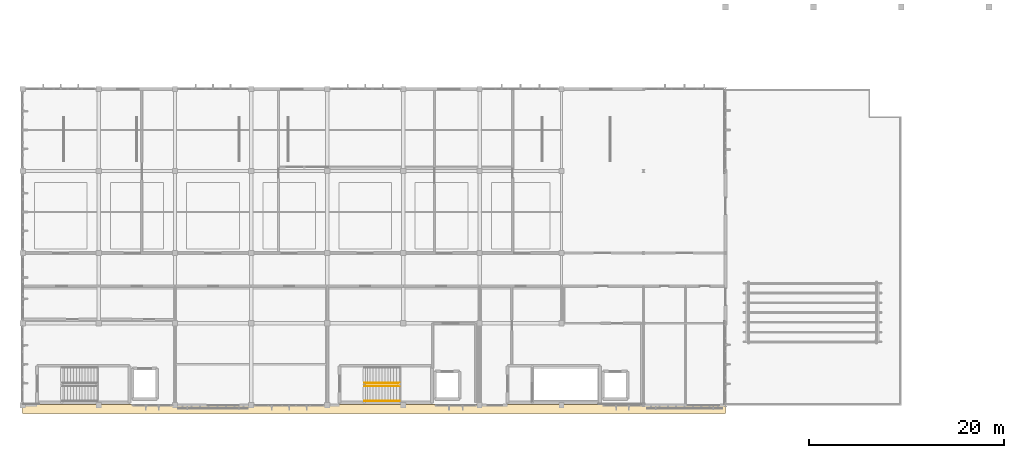
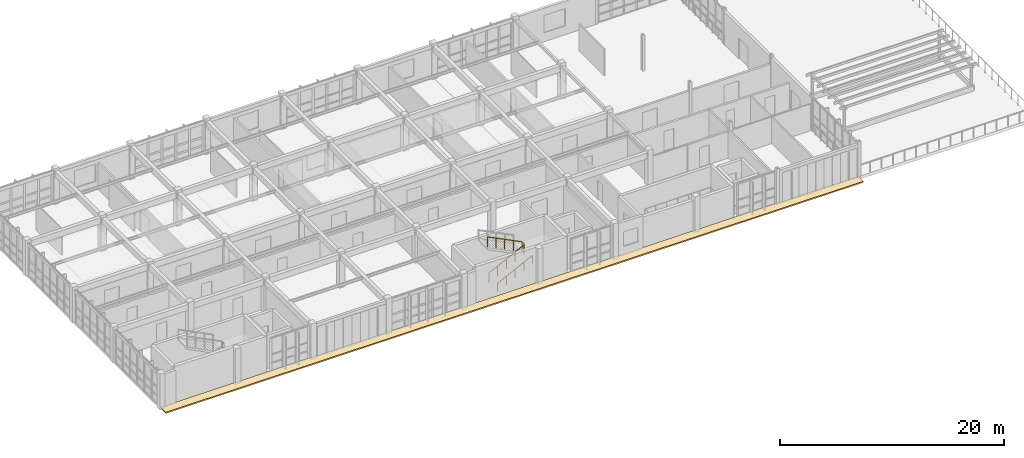
# One storey, part 32 of 35: 3 railings, 1 covering.
"""IFC4 building model written with IfcOpenShell, lengths in metres."""

from ifc_helpers import new_model, si_unit, direction, frame, origin, origin_2d, place, context, subcontext, project, spatial, polyline, circle, outline, extrude, material, layer, layer_set, type_object, element, save


model = new_model("IFC4")

# Units and contexts
model_context = context("Model", 3, precision=1e-05, world=origin(), true_north=direction((0.0, 1.0)))
body_context = subcontext(model_context, "Body", "Model", "MODEL_VIEW")
ifc_project = project(units=[si_unit("LENGTHUNIT", "METRE"), si_unit("AREAUNIT", "SQUARE_METRE"), si_unit("VOLUMEUNIT", "CUBIC_METRE"), si_unit("PLANEANGLEUNIT", "RADIAN"), si_unit("MASSUNIT", "GRAM", prefix="KILO")], contexts=[model_context])

# Site, building, storey
site_placement = place(None, origin())
site = spatial("IfcSite", under=ifc_project, at=site_placement, CompositionType="ELEMENT")
building_placement = place(site_placement, origin())
building = spatial("IfcBuilding", under=site, at=building_placement, Name="Tizgana Railside Sports Hall", CompositionType="ELEMENT")
storey_placement = place(building_placement, frame((0.0, 0.0, 15.89990234375)))
storey = spatial("IfcBuildingStorey", under=building, at=storey_placement, Name="L03", CompositionType="ELEMENT", Elevation=15.89990234375)

# Railings
ifc_material_1 = material(Name="Galvanised steel sheet", Category="steel")
railing_type_1 = type_object("IfcRailingType", Name="Safety Balustrade Guard 1100", PredefinedType="BALUSTRADE", material=ifc_material_1)
railing_1_placement = place(storey_placement, frame((42.800048828125, 2.0, 0.150146484375)))
element("IfcRailing", 1, at=railing_1_placement, inside=storey, type_object=railing_type_1, Name="L03 ST-02 stair guard 1", PredefinedType="BALUSTRADE", context=body_context, shape_type="SweptSolid", body=[
    extrude(circle(Radius=0.02392578125, at=origin_2d()), frame((0.0, 0.0, 1.076171875), z_axis=(0.894415058897, 0.0, 0.447237858884), x_axis=(0.0, 1.0, 0.0)), (0.0, 0.0, 1.0), 4.02490234375),
    extrude(circle(Radius=0.02099609375, at=origin_2d()), origin(), (0.0, 0.0, 1.0), 1.052001953125),
    extrude(circle(Radius=0.02099609375, at=origin_2d()), frame((0.89990234375, 0.0, 0.449951171875)), (0.0, 0.0, 1.0), 1.052001953125),
    extrude(circle(Radius=0.02099609375, at=origin_2d()), frame((1.7998046875, 0.0, 0.89990234375)), (0.0, 0.0, 1.0), 1.052001953125),
    extrude(circle(Radius=0.02099609375, at=origin_2d()), frame((2.699951171875, 0.0, 1.35009765625)), (0.0, 0.0, 1.0), 1.052001953125),
    extrude(circle(Radius=0.02099609375, at=origin_2d()), frame((3.599853515625, 0.0, 1.800048828125)), (0.0, 0.0, 1.0), 1.052001953125),
])
railing_2_placement = place(storey_placement, frame((46.39990234375, 2.300048828125, 2.10009765625)))
element("IfcRailing", 2, at=railing_2_placement, inside=storey, type_object=railing_type_1, Name="L03 ST-02 stair guard 3", PredefinedType="BALUSTRADE", context=body_context, shape_type="SweptSolid", body=[
    extrude(circle(Radius=0.02392578125, at=origin_2d()), frame((0.0, 0.0, 1.076171875), z_axis=(-0.894415058897, 0.0, 0.447237858884), x_axis=(0.0, -1.0, 0.0)), (0.0, 0.0, 1.0), 4.02490234375),
    extrude(circle(Radius=0.02099609375, at=origin_2d()), origin(), (0.0, 0.0, 1.0), 1.052001953125),
    extrude(circle(Radius=0.02099609375, at=origin_2d()), frame((-0.89990234375, 0.0, 0.449951171875)), (0.0, 0.0, 1.0), 1.052001953125),
    extrude(circle(Radius=0.02099609375, at=origin_2d()), frame((-1.7998046875, 0.0, 0.89990234375)), (0.0, 0.0, 1.0), 1.052001953125),
    extrude(circle(Radius=0.02099609375, at=origin_2d()), frame((-2.699951171875, 0.0, 1.35009765625)), (0.0, 0.0, 1.0), 1.052001953125),
    extrude(circle(Radius=0.02099609375, at=origin_2d()), frame((-3.599853515625, 0.0, 1.800048828125)), (0.0, 0.0, 1.0), 1.052001953125),
])
ifc_material_2 = material(Name="Brushed stainless steel", Category="steel")
railing_type_2 = type_object("IfcRailingType", Name="Stair & Ramp Wall Handrail 900", PredefinedType="HANDRAIL", material=ifc_material_2)
railing_3_placement = place(storey_placement, frame((42.800048828125, 0.449951171875, 0.150146484375)))
element("IfcRailing", 3, at=railing_3_placement, inside=storey, type_object=railing_type_2, Name="L03 ST-02 stair handrail 1", PredefinedType="HANDRAIL", context=body_context, shape_type="SweptSolid", body=[
    extrude(circle(Radius=0.02392578125, at=origin_2d()), frame((0.0, 0.0, 0.8759765625), z_axis=(0.894415058897, 0.0, 0.447237858884), x_axis=(0.0, 1.0, 0.0)), (0.0, 0.0, 1.0), 4.02490234375),
    extrude(circle(Radius=0.02099609375, at=origin_2d()), origin(), (0.0, 0.0, 1.0), 0.851806640625),
    extrude(circle(Radius=0.02099609375, at=origin_2d()), frame((0.89990234375, 0.0, 0.449951171875)), (0.0, 0.0, 1.0), 0.851806640625),
    extrude(circle(Radius=0.02099609375, at=origin_2d()), frame((1.7998046875, 0.0, 0.89990234375)), (0.0, 0.0, 1.0), 0.851806640625),
    extrude(circle(Radius=0.02099609375, at=origin_2d()), frame((2.699951171875, 0.0, 1.35009765625)), (0.0, 0.0, 1.0), 0.851806640625),
    extrude(circle(Radius=0.02099609375, at=origin_2d()), frame((3.599853515625, 0.0, 1.800048828125)), (0.0, 0.0, 1.0), 0.851806640625),
])

# Covering
ifc_material_3 = material(Name="Anodised aluminium roofing", Category="aluminium")
ifc_layer = layer(ifc_material_3, 0.080078125, Name="Anodised aluminium roofing")
ifc_layer_set = layer_set([ifc_layer], Name="Anodised aluminium roofing")
covering_type = type_object("IfcCoveringType", Name="Standing-Seam Insulated Vault Roofing", PredefinedType="ROOFING", material=ifc_layer_set)
covering_placement = place(storey_placement, frame((0.0, 0.0, -0.139892578125)))
element("IfcCovering", 4, at=covering_placement, inside=storey, type_object=covering_type, Name="L03 South Sun Canopy", PredefinedType="ROOFING", context=body_context, shape_type="SweptSolid", body=[
    extrude(outline(polyline([(7.800048828125, -0.85009765625), (79.800048828125, -0.85009765625), (79.800048828125, 0.080078125), (7.800048828125, 0.080078125), (7.800048828125, -0.85009765625)])), origin(), (0.0, 0.0, 1.0), 0.139892578125),
])

save(model, "model.ifc")
